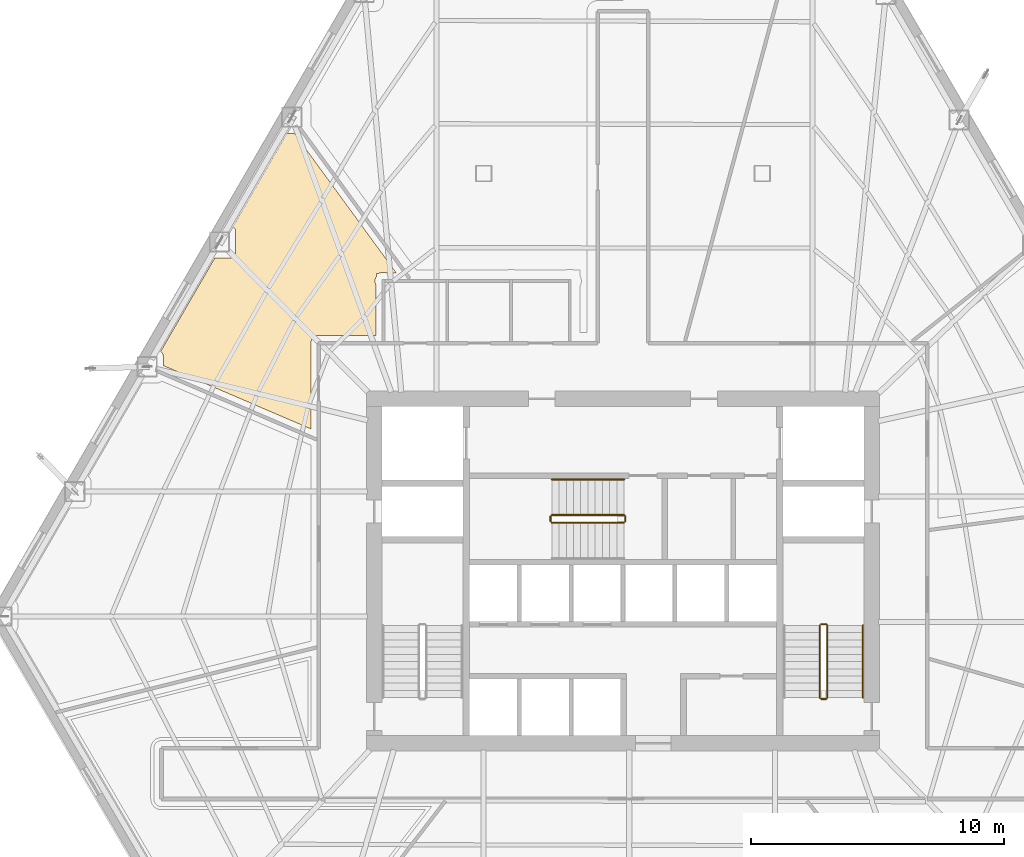
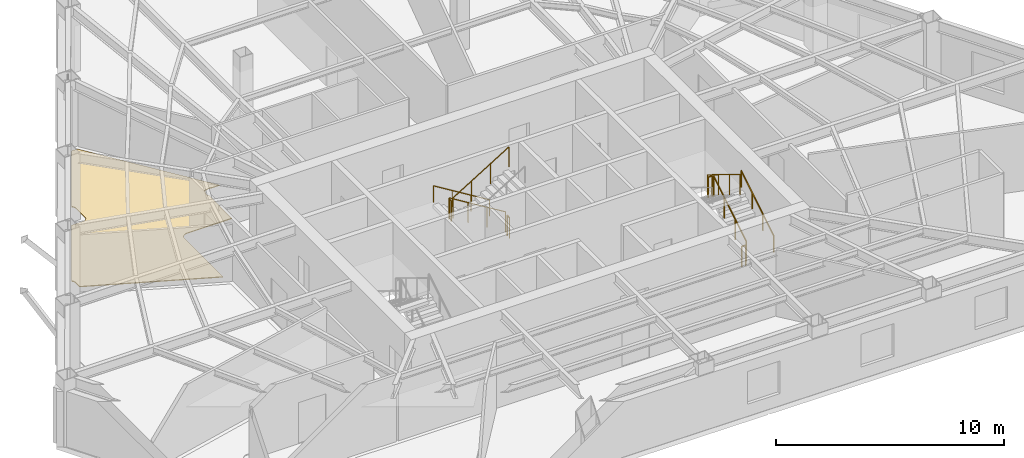
# One storey, part 13 of 14: 10 railings, 1 covering.
"""IFC4 building model written with IfcOpenShell, lengths in metres."""

from ifc_helpers import new_model, si_unit, direction, frame, origin, origin_2d, place, context, subcontext, project, spatial, polyline, circle, outline, extrude, material, layer, layer_set, type_object, element, save


model = new_model("IFC4")

# Units and contexts
model_context = context("Model", 3, precision=1e-05, world=origin(), true_north=direction((0.0, 1.0)))
body_context = subcontext(model_context, "Body", "Model", "MODEL_VIEW")
ifc_project = project(units=[si_unit("LENGTHUNIT", "METRE"), si_unit("AREAUNIT", "SQUARE_METRE"), si_unit("VOLUMEUNIT", "CUBIC_METRE"), si_unit("PLANEANGLEUNIT", "RADIAN"), si_unit("MASSUNIT", "GRAM", prefix="KILO")], contexts=[model_context])

# Site, building, storey
site_placement = place(None, origin())
site = spatial("IfcSite", under=ifc_project, at=site_placement, CompositionType="ELEMENT")
building_placement = place(site_placement, origin())
building = spatial("IfcBuilding", under=site, at=building_placement, Name="Kavelnor Concourse Tower", CompositionType="ELEMENT")
storey_placement = place(building_placement, frame((0.0, 0.0, 52.199951171875)))
storey = spatial("IfcBuildingStorey", under=building, at=storey_placement, Name="L13", CompositionType="ELEMENT", Elevation=52.199951171875)

# Covering
ifc_material_1 = material(Name="Honed bluestone and raised access floor finish", Category="masonry")
ifc_layer = layer(ifc_material_1, 0.0400390625, Name="Honed bluestone and raised access floor finish")
ifc_layer_set = layer_set([ifc_layer], Name="Honed bluestone and raised access floor finish")
covering_type = type_object("IfcCoveringType", Name="COV-FLOOR-STONE", PredefinedType="FLOORING", material=ifc_layer_set)
covering_placement = place(storey_placement, frame((0.0, 0.0, 0.001953125)))
element("IfcCovering", 1, at=covering_placement, inside=storey, type_object=covering_type, Name="L13 Honed Bluestone Floor Finish", PredefinedType="FLOORING", context=body_context, shape_type="SweptSolid", body=[
    extrude(outline(polyline([(21.87841796875, 28.45654296875), (22.469482421875, 28.45654296875), (22.48779296875, 28.45751953125), (22.510986328125, 28.4609375), (22.533935546875, 28.466796875), (22.55615234375, 28.474609375), (22.577392578125, 28.484619140625), (22.59765625, 28.496826171875), (22.61669921875, 28.510986328125), (22.634033203125, 28.526611328125), (22.64990234375, 28.544189453125), (22.6640625, 28.56298828125), (22.676025390625, 28.583251953125), (22.686279296875, 28.604736328125), (22.694091796875, 28.626953125), (22.69970703125, 28.649658203125), (22.703369140625, 28.673095703125), (22.7041015625, 28.691162109375), (22.7041015625, 29.501953125), (22.703369140625, 29.520263671875), (22.69970703125, 29.54345703125), (22.694091796875, 29.56640625), (22.686279296875, 29.58837890625), (22.676025390625, 29.60986328125), (22.6640625, 29.630126953125), (22.64990234375, 29.64892578125), (22.634033203125, 29.66650390625), (22.61669921875, 29.682373046875), (22.59765625, 29.6962890625), (22.596923828125, 29.69677734375), (24.73486328125, 33.38623046875), (25.022705078125, 33.38623046875), (29.04736328125, 27.8701171875), (28.65673828125, 27.8701171875), (28.649169921875, 27.87353515625), (28.622802734375, 27.883056640625), (28.595703125, 27.889892578125), (28.568115234375, 27.893798828125), (28.5400390625, 27.895263671875), (28.511962890625, 27.893798828125), (28.484375, 27.889892578125), (28.457275390625, 27.883056640625), (28.430908203125, 27.87353515625), (28.40771484375, 27.862548828125), (28.260009765625, 27.843994140625), (28.260009765625, 27.71826171875), (28.252685546875, 27.70849609375), (28.23828125, 27.6845703125), (28.226318359375, 27.6591796875), (28.217041015625, 27.6328125), (28.210205078125, 27.605712890625), (28.2060546875, 27.577880859375), (28.20458984375, 27.550048828125), (28.2060546875, 27.52197265625), (28.210205078125, 27.494384765625), (28.217041015625, 27.46728515625), (28.226318359375, 27.44091796875), (28.23828125, 27.41552734375), (28.252685546875, 27.3916015625), (28.2548828125, 27.388671875), (28.2548828125, 25.402587890625), (25.974609375, 25.402587890625), (25.9501953125, 25.4013671875), (25.9208984375, 25.39697265625), (25.89208984375, 25.3896484375), (25.864013671875, 25.379638671875), (25.83740234375, 25.366943359375), (25.811767578125, 25.351806640625), (25.787841796875, 25.333984375), (25.765869140625, 25.314208984375), (25.74609375, 25.2919921875), (25.728271484375, 25.268310546875), (25.712890625, 25.24267578125), (25.7001953125, 25.2158203125), (25.690185546875, 25.18798828125), (25.68310546875, 25.1591796875), (25.6787109375, 25.129638671875), (25.677490234375, 25.10546875), (25.677490234375, 21.710693359375), (19.84765625, 24.213134765625), (19.84765625, 24.572265625), (19.8466796875, 24.590576171875), (19.84326171875, 24.61376953125), (19.83740234375, 24.63671875), (19.82958984375, 24.65869140625), (19.819580078125, 24.68017578125), (19.807373046875, 24.700439453125), (19.793212890625, 24.71923828125), (19.777587890625, 24.73681640625), (19.760009765625, 24.752685546875), (19.7412109375, 24.7666015625), (19.740234375, 24.76708984375), (21.87841796875, 28.45654296875)])), origin(), (0.0, 0.0, 1.0), 0.0400390625),
])

# Railings
ifc_material_2 = material(Name="Steel Grade 350", Category="steel")
railing_type_1 = type_object("IfcRailingType", Name="RLG-GUARD-1100", PredefinedType="GUARDRAIL", material=ifc_material_2)
railing_1_placement = place(storey_placement, frame((46.070068359375, 11.10009765625, 0.175048828125)))
element("IfcRailing", 2, at=railing_1_placement, inside=storey, type_object=railing_type_1, Name="L13 ST2 stair guard 1", PredefinedType="GUARDRAIL", context=body_context, shape_type="SweptSolid", body=[
    extrude(circle(Radius=0.02392578125, at=origin_2d()), frame((0.0, 0.0, 1.076171875), z_axis=(0.0, 0.852159232446, 0.523282564737), x_axis=(-1.0, 0.0, 0.0)), (0.0, 0.0, 1.0), 3.34423828125),
    extrude(circle(Radius=0.02099609375, at=origin_2d()), origin(), (0.0, 0.0, 1.0), 1.052001953125),
    extrude(circle(Radius=0.02099609375, at=origin_2d()), frame((0.0, 0.949951171875, 0.583251953125)), (0.0, 0.0, 1.0), 1.052001953125),
    extrude(circle(Radius=0.02099609375, at=origin_2d()), frame((0.0, 1.89990234375, 1.166748046875)), (0.0, 0.0, 1.0), 1.052001953125),
    extrude(circle(Radius=0.02099609375, at=origin_2d()), frame((0.0, 2.849853515625, 1.75)), (0.0, 0.0, 1.0), 1.052001953125),
])
railing_2_placement = place(storey_placement, frame((46.02001953125, 14.0, 1.925048828125)))
element("IfcRailing", 3, at=railing_2_placement, inside=storey, type_object=railing_type_1, Name="L13 ST2 stair guard 2", PredefinedType="GUARDRAIL", context=body_context, shape_type="SweptSolid", body=[
    extrude(circle(Radius=0.02392578125, at=origin_2d()), frame((0.0, 0.0, 1.076171875), z_axis=(-1.0, 0.0, 0.0), x_axis=(0.0, -1.0, 0.0)), (0.0, 0.0, 1.0), 0.199951171875),
    extrude(circle(Radius=0.02099609375, at=origin_2d()), origin(), (0.0, 0.0, 1.0), 1.052001953125),
    extrude(circle(Radius=0.02099609375, at=origin_2d()), frame((-0.199951171875, 0.0, 0.0)), (0.0, 0.0, 1.0), 1.052001953125),
])
railing_3_placement = place(storey_placement, frame((45.77001953125, 13.949951171875, 2.10009765625)))
element("IfcRailing", 4, at=railing_3_placement, inside=storey, type_object=railing_type_1, Name="L13 ST2 stair guard 3", PredefinedType="GUARDRAIL", context=body_context, shape_type="SweptSolid", body=[
    extrude(circle(Radius=0.02392578125, at=origin_2d()), frame((0.0, 0.0, 1.076171875), z_axis=(0.0, -0.852159232446, 0.523282564737), x_axis=(1.0, 0.0, 0.0)), (0.0, 0.0, 1.0), 3.34423828125),
    extrude(circle(Radius=0.02099609375, at=origin_2d()), origin(), (0.0, 0.0, 1.0), 1.052001953125),
    extrude(circle(Radius=0.02099609375, at=origin_2d()), frame((0.0, -0.949951171875, 0.583251953125)), (0.0, 0.0, 1.0), 1.052001953125),
    extrude(circle(Radius=0.02099609375, at=origin_2d()), frame((0.0, -1.89990234375, 1.166748046875)), (0.0, 0.0, 1.0), 1.052001953125),
    extrude(circle(Radius=0.02099609375, at=origin_2d()), frame((0.0, -2.849853515625, 1.75)), (0.0, 0.0, 1.0), 1.052001953125),
])
railing_4_placement = place(storey_placement, frame((46.02001953125, 11.050048828125, 0.0)))
element("IfcRailing", 5, at=railing_4_placement, inside=storey, type_object=railing_type_1, Name="L13 ST2 stair guard 4", PredefinedType="GUARDRAIL", context=body_context, shape_type="SweptSolid", body=[
    extrude(circle(Radius=0.02392578125, at=origin_2d()), frame((0.0, 0.0, 1.076171875), z_axis=(-1.0, 0.0, 0.0), x_axis=(0.0, -1.0, 0.0)), (0.0, 0.0, 1.0), 0.199951171875),
    extrude(circle(Radius=0.02099609375, at=origin_2d()), origin(), (0.0, 0.0, 1.0), 1.052001953125),
    extrude(circle(Radius=0.02099609375, at=origin_2d()), frame((-0.199951171875, 0.0, 0.0)), (0.0, 0.0, 1.0), 1.052001953125),
])
railing_5_placement = place(storey_placement, frame((38.0400390625, 18.31005859375, 0.175048828125)))
element("IfcRailing", 6, at=railing_5_placement, inside=storey, type_object=railing_type_1, Name="L13 ST3 stair guard 1", PredefinedType="GUARDRAIL", context=body_context, shape_type="SweptSolid", body=[
    extrude(circle(Radius=0.02392578125, at=origin_2d()), frame((0.0, 0.0, 1.076171875), z_axis=(-0.852179220489, 0.0, 0.52325001306), x_axis=(0.0, -1.0, 0.0)), (0.0, 0.0, 1.0), 3.344482421875),
    extrude(circle(Radius=0.02099609375, at=origin_2d()), origin(), (0.0, 0.0, 1.0), 1.052001953125),
    extrude(circle(Radius=0.02099609375, at=origin_2d()), frame((-0.949951171875, 0.0, 0.583251953125)), (0.0, 0.0, 1.0), 1.052001953125),
    extrude(circle(Radius=0.02099609375, at=origin_2d()), frame((-1.900146484375, 0.0, 1.166748046875)), (0.0, 0.0, 1.0), 1.052001953125),
    extrude(circle(Radius=0.02099609375, at=origin_2d()), frame((-2.85009765625, 0.0, 1.75)), (0.0, 0.0, 1.0), 1.052001953125),
])
railing_6_placement = place(storey_placement, frame((35.139892578125, 18.260009765625, 1.925048828125)))
element("IfcRailing", 7, at=railing_6_placement, inside=storey, type_object=railing_type_1, Name="L13 ST3 stair guard 2", PredefinedType="GUARDRAIL", context=body_context, shape_type="SweptSolid", body=[
    extrude(circle(Radius=0.02392578125, at=origin_2d()), frame((0.0, 0.0, 1.076171875), z_axis=(0.0, -1.0, 0.0), x_axis=(1.0, 0.0, 0.0)), (0.0, 0.0, 1.0), 0.199951171875),
    extrude(circle(Radius=0.02099609375, at=origin_2d()), origin(), (0.0, 0.0, 1.0), 1.052001953125),
    extrude(circle(Radius=0.02099609375, at=origin_2d()), frame((0.0, -0.199951171875, 0.0)), (0.0, 0.0, 1.0), 1.052001953125),
])
railing_7_placement = place(storey_placement, frame((35.18994140625, 18.010009765625, 2.10009765625)))
element("IfcRailing", 8, at=railing_7_placement, inside=storey, type_object=railing_type_1, Name="L13 ST3 stair guard 3", PredefinedType="GUARDRAIL", context=body_context, shape_type="SweptSolid", body=[
    extrude(circle(Radius=0.02392578125, at=origin_2d()), frame((0.0, 0.0, 1.076171875), z_axis=(0.852179220489, 0.0, 0.52325001306), x_axis=(0.0, 1.0, 0.0)), (0.0, 0.0, 1.0), 3.344482421875),
    extrude(circle(Radius=0.02099609375, at=origin_2d()), origin(), (0.0, 0.0, 1.0), 1.052001953125),
    extrude(circle(Radius=0.02099609375, at=origin_2d()), frame((0.949951171875, 0.0, 0.583251953125)), (0.0, 0.0, 1.0), 1.052001953125),
    extrude(circle(Radius=0.02099609375, at=origin_2d()), frame((1.900146484375, 0.0, 1.166748046875)), (0.0, 0.0, 1.0), 1.052001953125),
    extrude(circle(Radius=0.02099609375, at=origin_2d()), frame((2.85009765625, 0.0, 1.75)), (0.0, 0.0, 1.0), 1.052001953125),
])
railing_8_placement = place(storey_placement, frame((38.090087890625, 18.260009765625, 0.0)))
element("IfcRailing", 9, at=railing_8_placement, inside=storey, type_object=railing_type_1, Name="L13 ST3 stair guard 4", PredefinedType="GUARDRAIL", context=body_context, shape_type="SweptSolid", body=[
    extrude(circle(Radius=0.02392578125, at=origin_2d()), frame((0.0, 0.0, 1.076171875), z_axis=(0.0, -1.0, 0.0), x_axis=(1.0, 0.0, 0.0)), (0.0, 0.0, 1.0), 0.199951171875),
    extrude(circle(Radius=0.02099609375, at=origin_2d()), origin(), (0.0, 0.0, 1.0), 1.052001953125),
    extrude(circle(Radius=0.02099609375, at=origin_2d()), frame((0.0, -0.199951171875, 0.0)), (0.0, 0.0, 1.0), 1.052001953125),
])
railing_type_2 = type_object("IfcRailingType", Name="RLG-HANDRAIL-900", PredefinedType="HANDRAIL", material=ifc_material_2)
railing_9_placement = place(storey_placement, frame((47.469970703125, 11.10009765625, 0.175048828125)))
element("IfcRailing", 10, at=railing_9_placement, inside=storey, type_object=railing_type_2, Name="L13 ST2 stair handrail 1", PredefinedType="HANDRAIL", context=body_context, shape_type="SweptSolid", body=[
    extrude(circle(Radius=0.02392578125, at=origin_2d()), frame((0.0, 0.0, 0.8759765625), z_axis=(0.0, 0.852159232446, 0.523282564737), x_axis=(-1.0, 0.0, 0.0)), (0.0, 0.0, 1.0), 3.34423828125),
    extrude(circle(Radius=0.02099609375, at=origin_2d()), origin(), (0.0, 0.0, 1.0), 0.851806640625),
    extrude(circle(Radius=0.02099609375, at=origin_2d()), frame((0.0, 0.949951171875, 0.583251953125)), (0.0, 0.0, 1.0), 0.851806640625),
    extrude(circle(Radius=0.02099609375, at=origin_2d()), frame((0.0, 1.89990234375, 1.166748046875)), (0.0, 0.0, 1.0), 0.851806640625),
    extrude(circle(Radius=0.02099609375, at=origin_2d()), frame((0.0, 2.849853515625, 1.75)), (0.0, 0.0, 1.0), 0.851806640625),
])
railing_10_placement = place(storey_placement, frame((38.0400390625, 19.7099609375, 0.175048828125)))
element("IfcRailing", 11, at=railing_10_placement, inside=storey, type_object=railing_type_2, Name="L13 ST3 stair handrail 1", PredefinedType="HANDRAIL", context=body_context, shape_type="SweptSolid", body=[
    extrude(circle(Radius=0.02392578125, at=origin_2d()), frame((0.0, 0.0, 0.8759765625), z_axis=(-0.852179220489, 0.0, 0.52325001306), x_axis=(0.0, -1.0, 0.0)), (0.0, 0.0, 1.0), 3.344482421875),
    extrude(circle(Radius=0.02099609375, at=origin_2d()), origin(), (0.0, 0.0, 1.0), 0.851806640625),
    extrude(circle(Radius=0.02099609375, at=origin_2d()), frame((-0.949951171875, 0.0, 0.583251953125)), (0.0, 0.0, 1.0), 0.851806640625),
    extrude(circle(Radius=0.02099609375, at=origin_2d()), frame((-1.900146484375, 0.0, 1.166748046875)), (0.0, 0.0, 1.0), 0.851806640625),
    extrude(circle(Radius=0.02099609375, at=origin_2d()), frame((-2.85009765625, 0.0, 1.75)), (0.0, 0.0, 1.0), 0.851806640625),
])

save(model, "model.ifc")
